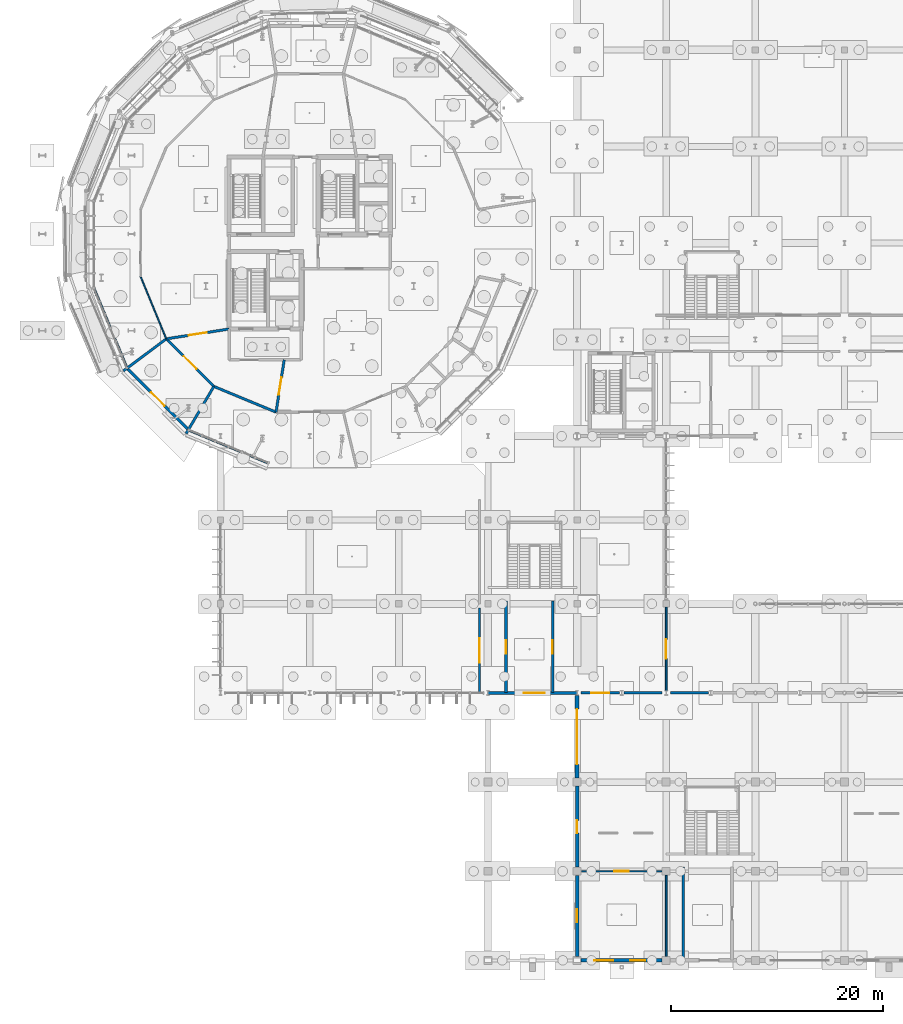
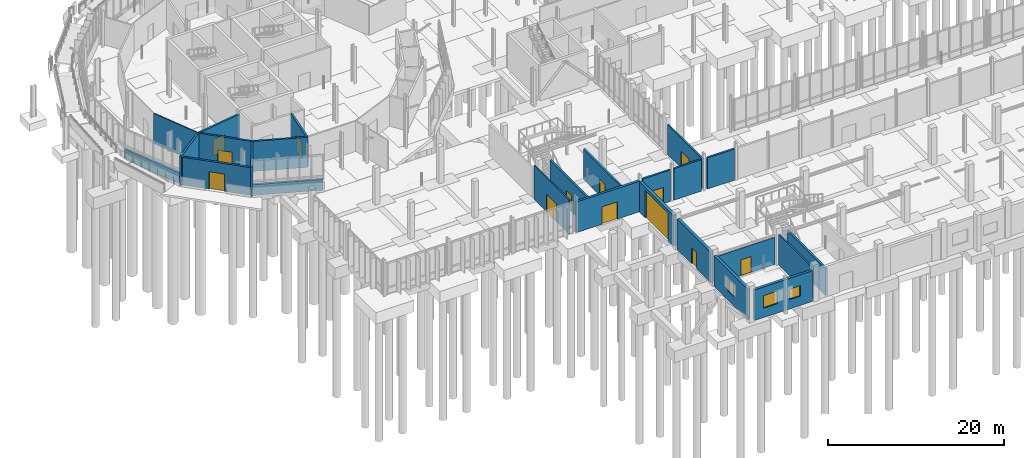
# One storey, part 80 of 119: 25 walls, 13 doors, 3 windows, 16 openings.
"""IFC4 building model written with IfcOpenShell, lengths in metres."""

from ifc_helpers import new_model, si_unit, derived_unit, direction, frame, frame_2d, origin, place, context, subcontext, project, spatial, rectangle, extrude, material, layer, layer_set, type_object, element, fill, save


model = new_model("IFC4")

# Units and contexts
model_context = context("Model", 3, precision=1e-05, world=origin(), true_north=direction((0.0, 1.0)))
body_context = subcontext(model_context, "Body", "Model", "MODEL_VIEW")
ifc_project = project(units=[si_unit("LENGTHUNIT", "METRE"), si_unit("AREAUNIT", "SQUARE_METRE"), si_unit("VOLUMEUNIT", "CUBIC_METRE"), si_unit("PLANEANGLEUNIT", "RADIAN"), si_unit("MASSUNIT", "GRAM", prefix="KILO"), derived_unit("THERMALTRANSMITTANCEUNIT", [(si_unit("MASSUNIT", "GRAM", prefix="KILO"), 1), (si_unit("TIMEUNIT", "SECOND"), -3), (si_unit("THERMODYNAMICTEMPERATUREUNIT", "KELVIN"), -1)])], contexts=[model_context])

# Site, building, storey
site_placement = place(None, origin())
site = spatial("IfcSite", under=ifc_project, at=site_placement, CompositionType="ELEMENT")
building_placement = place(site_placement, origin())
building = spatial("IfcBuilding", under=site, at=building_placement, Name="Makaiwela Harbour Ferry Terminal", CompositionType="ELEMENT")
storey_placement = place(building_placement, origin())
storey = spatial("IfcBuildingStorey", under=building, at=storey_placement, Name="L00", CompositionType="ELEMENT", Elevation=0.0)

# Wall
ifc_material_1 = material(Name="Precast concrete f'c 40 MPa (6000 psi)", Category="concrete")
ifc_layer_1 = layer(ifc_material_1, 0.260009765625)
ifc_layer_set_1 = layer_set([ifc_layer_1], Name="Precast concrete f'c 40 MPa (6000 psi)")
wall_type_1 = type_object("IfcWallType", Name="ENV-WL-EXT260", PredefinedType="SOLIDWALL", material=ifc_layer_set_1)
wall_1_placement = place(storey_placement, frame((17.465087890625, 63.325439453125, 0.0), z_axis=(0.0, 0.0, 1.0), x_axis=(0.382670790122, -0.923884768998, 0.0)))
element("IfcWall", 1, at=wall_1_placement, inside=storey, type_object=wall_type_1, Name="Drum Spandrel Backup Wall EW-L00-08", PredefinedType="SOLIDWALL", context=body_context, shape_type="SweptSolid", body=[
    extrude(rectangle(XDim=8.1337890625, YDim=0.260009765625, at=frame_2d((4.06689453125, 0.0))), origin(), (0.0, 0.0, 1.0), 1.47998046875),
])

# Wall, opening, door
wall_2_placement = place(storey_placement, frame((20.6103515625, 55.76171875, 0.0), z_axis=(0.0, 0.0, 1.0), x_axis=(0.707106781187, -0.707106781187, 0.0)))
wall_2 = element("IfcWall", 2, at=wall_2_placement, inside=storey, type_object=wall_type_1, Name="Drum Exterior Wall EW-L00-09", PredefinedType="SOLIDWALL", context=body_context, shape_type="SweptSolid", body=[
    extrude(rectangle(XDim=8.1337890625, YDim=0.260009765625, at=frame_2d((4.06689453125, 0.0))), origin(), (0.0, 0.0, 1.0), 3.844970703125),
])
opening_1_placement = place(wall_2_placement, frame((3.1669921875, 0.0, 0.0)))
opening_1 = element("IfcOpeningElement", 3, at=opening_1_placement, cuts=wall_2, Name="Opening ED-01", PredefinedType="OPENING", context=body_context, shape_type="SweptSolid", body=[
    extrude(rectangle(XDim=1.800048828125, YDim=2.39990234375, at=frame_2d((0.89990234375, 1.199951171875))), frame((0.0, 0.139892578125, 0.0), z_axis=(0.0, -1.0, 0.0), x_axis=(1.0, 0.0, 0.0)), (0.0, 0.0, 1.0), 0.280029296875),
])
ifc_material_2 = material(Name="Marine anodised aluminium 6063-T6", Category="aluminium")
door_type_1 = type_object("IfcDoorType", Name="ENV-DR-EXT180", OperationType="NOTDEFINED", PredefinedType="DOOR", material=ifc_material_2)
door_1_placement = place(opening_1_placement, frame((1.800048828125, 0.0, 0.0), z_axis=(0.0, 0.0, 1.0), x_axis=(-1.0, 0.0, 0.0)))
door_1 = element("IfcDoor", 4, at=door_1_placement, inside=storey, type_object=door_type_1, Name="Exterior Door ED-01", OperationType="DOUBLE_DOOR_SINGLE_SWING", OverallHeight=2.39990234375, OverallWidth=1.800048828125, PredefinedType="DOOR", context=body_context, shape_type="SweptSolid", body=[
    extrude(rectangle(XDim=1.800048828125, YDim=2.39990234375, at=frame_2d((0.89990234375, 1.199951171875))), frame((0.0, 0.02490234375, 0.0), z_axis=(0.0, -1.0, 0.0), x_axis=(1.0, 0.0, 0.0)), (0.0, 0.0, 1.0), 0.050048828125),
])
fill(opening_1, door_1)

# Wall
wall_3_placement = place(storey_placement, frame((26.41064453125, 49.9775390625, 0.0), z_axis=(0.0, 0.0, 1.0), x_axis=(0.923884768998, -0.382670790122, 0.0)))
element("IfcWall", 5, at=wall_3_placement, inside=storey, type_object=wall_type_1, Name="Drum Spandrel Backup Wall EW-L00-10", PredefinedType="SOLIDWALL", context=body_context, shape_type="SweptSolid", body=[
    extrude(rectangle(XDim=8.1337890625, YDim=0.260009765625, at=frame_2d((4.06689453125, 0.0))), origin(), (0.0, 0.0, 1.0), 1.47998046875),
])

# Wall, opening, door
ifc_material_3 = material(Name="Precast concrete f'c 40 MPa (6000 psi) with Hawaiian basalt rainscreen", Category="masonry")
ifc_layer_2 = layer(ifc_material_3, 0.300048828125)
ifc_layer_set_2 = layer_set([ifc_layer_2], Name="Precast concrete f'c 40 MPa (6000 psi) with Hawaiian basalt rainscreen")
wall_type_2 = type_object("IfcWallType", Name="ENV-WL-EXT300", PredefinedType="SOLIDWALL", material=ifc_layer_set_2)
wall_4_placement = place(storey_placement, frame((62.985107421875, 25.199951171875, 0.0), z_axis=(0.0, 0.0, 1.0), x_axis=(-1.0, 0.0, 0.0)))
wall_4 = element("IfcWall", 6, at=wall_4_placement, inside=storey, type_object=wall_type_2, Name="Exterior Wall EW-018", PredefinedType="SOLIDWALL", context=body_context, shape_type="SweptSolid", body=[
    extrude(rectangle(XDim=8.3701171875, YDim=0.300048828125, at=frame_2d((4.18505859375, 0.0))), origin(), (0.0, 0.0, 1.0), 4.24609375),
])
opening_2_placement = place(wall_4_placement, frame((3.017578125, 0.0, 0.0)))
opening_2 = element("IfcOpeningElement", 7, at=opening_2_placement, cuts=wall_4, Name="Opening ED-02", PredefinedType="OPENING", context=body_context, shape_type="SweptSolid", body=[
    extrude(rectangle(XDim=2.0, YDim=2.39990234375, at=frame_2d((1.0, 1.199951171875))), frame((0.0, 0.159912109375, 0.0), z_axis=(0.0, -1.0, 0.0), x_axis=(1.0, 0.0, 0.0)), (0.0, 0.0, 1.0), 0.320068359375),
])
door_type_2 = type_object("IfcDoorType", Name="ENV-DR-EXT200", OperationType="NOTDEFINED", PredefinedType="DOOR", material=ifc_material_2)
door_2_placement = place(opening_2_placement, origin())
door_2 = element("IfcDoor", 8, at=door_2_placement, inside=storey, type_object=door_type_2, Name="Exterior Door ED-02", OperationType="DOUBLE_DOOR_SINGLE_SWING", OverallHeight=2.39990234375, OverallWidth=2.0, PredefinedType="DOOR", context=body_context, shape_type="SweptSolid", body=[
    extrude(rectangle(XDim=2.0, YDim=2.39990234375, at=frame_2d((1.0, 1.199951171875))), frame((0.0, 0.02490234375, 0.0), z_axis=(0.0, -1.0, 0.0), x_axis=(1.0, 0.0, 0.0)), (0.0, 0.0, 1.0), 0.050048828125),
])
fill(opening_2, door_2)

# Wall, openings, windows
ifc_layer_3 = layer(ifc_material_3, 0.340087890625)
ifc_layer_set_3 = layer_set([ifc_layer_3], Name="Precast concrete f'c 40 MPa (6000 psi) with Hawaiian basalt rainscreen")
wall_type_3 = type_object("IfcWallType", Name="ENV-WL-EXT340", PredefinedType="SOLIDWALL", material=ifc_layer_set_3)
wall_5_placement = place(storey_placement, frame((71.01708984375, 0.0, 0.0), z_axis=(0.0, 0.0, 1.0), x_axis=(-1.0, 0.0, 0.0)))
wall_5 = element("IfcWall", 9, at=wall_5_placement, inside=storey, type_object=wall_type_3, Name="Exterior Wall EW-019", PredefinedType="SOLIDWALL", context=body_context, shape_type="SweptSolid", body=[
    extrude(rectangle(XDim=7.634033203125, YDim=0.340087890625, at=frame_2d((3.81689453125, 0.0))), origin(), (0.0, 0.0, 1.0), 4.24609375),
])
opening_3_placement = place(wall_5_placement, frame((1.590087890625, 0.0, 1.300048828125)))
opening_3 = element("IfcOpeningElement", 10, at=opening_3_placement, cuts=wall_5, Name="Opening W-09", PredefinedType="OPENING", context=body_context, shape_type="SweptSolid", body=[
    extrude(rectangle(XDim=1.39990234375, YDim=1.449951171875, at=frame_2d((0.699951171875, 0.72509765625))), frame((0.0, 0.179931640625, 0.0), z_axis=(0.0, -1.0, 0.0), x_axis=(1.0, 0.0, 0.0)), (0.0, 0.0, 1.0), 0.360107421875),
])
opening_4_placement = place(wall_5_placement, frame((4.596435546875, 0.0, 1.300048828125)))
opening_4 = element("IfcOpeningElement", 11, at=opening_4_placement, cuts=wall_5, Name="Opening W-22", PredefinedType="OPENING", context=body_context, shape_type="SweptSolid", body=[
    extrude(rectangle(XDim=1.800048828125, YDim=1.75, at=frame_2d((0.89990234375, 0.875))), frame((0.0, 0.179931640625, 0.0), z_axis=(0.0, -1.0, 0.0), x_axis=(1.0, 0.0, 0.0)), (0.0, 0.0, 1.0), 0.360107421875),
])
ifc_material_4 = material(Name="Laminated hurricane-impact low-E insulated glazing", Category="glass")
window_type_1 = type_object("IfcWindowType", Name="ENV-WIN-09", PartitioningType="SINGLE_PANEL", PredefinedType="WINDOW", material=ifc_material_4)
window_1_placement = place(opening_3_placement, origin())
window_1 = element("IfcWindow", 12, at=window_1_placement, inside=storey, type_object=window_type_1, Name="Exterior Window W-09", OverallHeight=1.449951171875, OverallWidth=1.39990234375, PartitioningType="SINGLE_PANEL", PredefinedType="WINDOW", context=body_context, shape_type="SweptSolid", body=[
    extrude(rectangle(XDim=1.39990234375, YDim=1.449951171875, at=frame_2d((0.699951171875, 0.72509765625))), frame((0.0, 0.030029296875, 0.0), z_axis=(0.0, -1.0, 0.0), x_axis=(1.0, 0.0, 0.0)), (0.0, 0.0, 1.0), 0.06005859375),
])
fill(opening_3, window_1)
window_type_2 = type_object("IfcWindowType", Name="ENV-WIN-22", PartitioningType="SINGLE_PANEL", PredefinedType="WINDOW", material=ifc_material_4)
window_2_placement = place(opening_4_placement, origin())
window_2 = element("IfcWindow", 13, at=window_2_placement, inside=storey, type_object=window_type_2, Name="Exterior Window W-22", OverallHeight=1.75, OverallWidth=1.800048828125, PartitioningType="SINGLE_PANEL", PredefinedType="WINDOW", context=body_context, shape_type="SweptSolid", body=[
    extrude(rectangle(XDim=1.800048828125, YDim=1.75, at=frame_2d((0.89990234375, 0.875))), frame((0.0, 0.030029296875, 0.0), z_axis=(0.0, -1.0, 0.0), x_axis=(1.0, 0.0, 0.0)), (0.0, 0.0, 1.0), 0.06005859375),
])
fill(opening_4, window_2)

# Wall, opening, window
wall_6_placement = place(storey_placement, frame((63.0, 0.383056640625, 0.0), z_axis=(0.0, 0.0, 1.0), x_axis=(0.0, 1.0, 0.0)))
wall_6 = element("IfcWall", 14, at=wall_6_placement, inside=storey, type_object=wall_type_3, Name="Exterior Wall EW-040", PredefinedType="SOLIDWALL", context=body_context, shape_type="SweptSolid", body=[
    extrude(rectangle(XDim=7.634033203125, YDim=0.340087890625, at=frame_2d((3.81689453125, 0.0))), origin(), (0.0, 0.0, 1.0), 4.24609375),
])
opening_5_placement = place(wall_6_placement, frame((3.217041015625, 0.0, 1.25)))
opening_5 = element("IfcOpeningElement", 15, at=opening_5_placement, cuts=wall_6, Name="Opening W-19", PredefinedType="OPENING", context=body_context, shape_type="SweptSolid", body=[
    extrude(rectangle(XDim=1.199951171875, YDim=1.75, at=frame_2d((0.60009765625, 0.875))), frame((0.0, 0.179931640625, 0.0), z_axis=(0.0, -1.0, 0.0), x_axis=(1.0, 0.0, 0.0)), (0.0, 0.0, 1.0), 0.360107421875),
])
window_type_3 = type_object("IfcWindowType", Name="ENV-WIN-19", PartitioningType="SINGLE_PANEL", PredefinedType="WINDOW", material=ifc_material_4)
window_3_placement = place(opening_5_placement, origin())
window_3 = element("IfcWindow", 16, at=window_3_placement, inside=storey, type_object=window_type_3, Name="Exterior Window W-19", OverallHeight=1.75, OverallWidth=1.199951171875, PartitioningType="SINGLE_PANEL", PredefinedType="WINDOW", context=body_context, shape_type="SweptSolid", body=[
    extrude(rectangle(XDim=1.199951171875, YDim=1.75, at=frame_2d((0.60009765625, 0.875))), frame((0.0, 0.030029296875, 0.0), z_axis=(0.0, -1.0, 0.0), x_axis=(1.0, 0.0, 0.0)), (0.0, 0.0, 1.0), 0.06005859375),
])
fill(opening_5, window_3)

# Wall, opening, door
wall_7_placement = place(storey_placement, frame((63.0, 8.782958984375, 0.0), z_axis=(0.0, 0.0, 1.0), x_axis=(0.0, 1.0, 0.0)))
wall_7 = element("IfcWall", 17, at=wall_7_placement, inside=storey, type_object=wall_type_3, Name="Exterior Wall EW-041", PredefinedType="SOLIDWALL", context=body_context, shape_type="SweptSolid", body=[
    extrude(rectangle(XDim=7.634033203125, YDim=0.340087890625, at=frame_2d((3.81689453125, 0.0))), origin(), (0.0, 0.0, 1.0), 4.24609375),
])
opening_6_placement = place(wall_7_placement, frame((3.217041015625, 0.0, 0.0)))
opening_6 = element("IfcOpeningElement", 18, at=opening_6_placement, cuts=wall_7, Name="Opening ED-05", PredefinedType="OPENING", context=body_context, shape_type="SweptSolid", body=[
    extrude(rectangle(XDim=1.199951171875, YDim=2.25, at=frame_2d((0.60009765625, 1.125))), frame((0.0, 0.179931640625, 0.0), z_axis=(0.0, -1.0, 0.0), x_axis=(1.0, 0.0, 0.0)), (0.0, 0.0, 1.0), 0.360107421875),
])
door_type_3 = type_object("IfcDoorType", Name="ENV-DR-EXT120", OperationType="NOTDEFINED", PredefinedType="DOOR", material=ifc_material_2)
door_3_placement = place(opening_6_placement, origin())
door_3 = element("IfcDoor", 19, at=door_3_placement, inside=storey, type_object=door_type_3, Name="Exterior Door ED-05", OperationType="SINGLE_SWING_LEFT", OverallHeight=2.25, OverallWidth=1.199951171875, PredefinedType="DOOR", context=body_context, shape_type="SweptSolid", body=[
    extrude(rectangle(XDim=1.199951171875, YDim=2.25, at=frame_2d((0.60009765625, 1.125))), frame((0.0, 0.02490234375, 0.0), z_axis=(0.0, -1.0, 0.0), x_axis=(1.0, 0.0, 0.0)), (0.0, 0.0, 1.0), 0.050048828125),
])
fill(opening_6, door_3)

ifc_layer_4 = layer(ifc_material_1, 0.3798828125)
ifc_layer_set_4 = layer_set([ifc_layer_4], Name="Precast concrete f'c 40 MPa (6000 psi)")
wall_type_4 = type_object("IfcWallType", Name="ENV-WL-EXT380", PredefinedType="SOLIDWALL", material=ifc_layer_set_4)
wall_8_placement = place(storey_placement, frame((63.0, 17.18310546875, 0.0), z_axis=(0.0, 0.0, 1.0), x_axis=(0.0, 1.0, 0.0)))
wall_8 = element("IfcWall", 20, at=wall_8_placement, inside=storey, type_object=wall_type_4, Name="Exterior Wall EW-042", PredefinedType="SOLIDWALL", context=body_context, shape_type="SweptSolid", body=[
    extrude(rectangle(XDim=7.79345703125, YDim=0.3798828125, at=frame_2d((3.896728515625, 0.0))), origin(), (0.0, 0.0, 1.0), 4.24609375),
])
opening_7_placement = place(wall_8_placement, frame((1.296875, 0.0, 0.0)))
opening_7 = element("IfcOpeningElement", 21, at=opening_7_placement, cuts=wall_8, Name="Opening VG-02", PredefinedType="OPENING", context=body_context, shape_type="SweptSolid", body=[
    extrude(rectangle(XDim=5.199951171875, YDim=3.85009765625, at=frame_2d((2.60009765625, 1.925048828125))), frame((0.0, 0.199951171875, 0.0), z_axis=(0.0, -1.0, 0.0), x_axis=(1.0, 0.0, 0.0)), (0.0, 0.0, 1.0), 0.39990234375),
])
door_type_4 = type_object("IfcDoorType", Name="ENV-GT-VEH02", OperationType="NOTDEFINED", PredefinedType="GATE", material=ifc_material_2)
door_4_placement = place(opening_7_placement, origin())
door_4 = element("IfcDoor", 22, at=door_4_placement, inside=storey, type_object=door_type_4, Name="Exterior Door VG-02", OperationType="ROLLINGUP", OverallHeight=3.85009765625, OverallWidth=5.199951171875, PredefinedType="GATE", context=body_context, shape_type="SweptSolid", body=[
    extrude(rectangle(XDim=5.199951171875, YDim=3.85009765625, at=frame_2d((2.60009765625, 1.925048828125))), frame((0.0, 0.02490234375, 0.0), z_axis=(0.0, -1.0, 0.0), x_axis=(1.0, 0.0, 0.0)), (0.0, 0.0, 1.0), 0.050048828125),
])
fill(opening_7, door_4)

ifc_material_5 = material(Name="Fire-rated gypsum board on steel studs", Category="steel")
ifc_layer_5 = layer(ifc_material_5, 0.179931640625)
ifc_layer_set_5 = layer_set([ifc_layer_5], Name="Fire-rated gypsum board on steel studs")
wall_type_5 = type_object("IfcWallType", Name="INT-WL-FIR180", PredefinedType="PARTITIONING", material=ifc_layer_set_5)
wall_9_placement = place(storey_placement, frame((63.39990234375, 8.39990234375, 0.0), z_axis=(0.0, 0.0, 1.0), x_axis=(1.0, 0.0, 0.0)))
wall_9 = element("IfcWall", 23, at=wall_9_placement, inside=storey, type_object=wall_type_5, Name="Interior Wall IW-0436", PredefinedType="PARTITIONING", context=body_context, shape_type="SweptSolid", body=[
    extrude(rectangle(XDim=7.60009765625, YDim=0.179931640625, at=frame_2d((3.800048828125, 0.0))), origin(), (0.0, 0.0, 1.0), 3.77001953125),
])
opening_8_placement = place(wall_9_placement, frame((3.125, 0.0, 0.0)))
opening_8 = element("IfcOpeningElement", 24, at=opening_8_placement, cuts=wall_9, Name="Opening D-15", PredefinedType="OPENING", context=body_context, shape_type="SweptSolid", body=[
    extrude(rectangle(XDim=1.35009765625, YDim=2.199951171875, at=frame_2d((0.675048828125, 1.10009765625))), frame((0.0, 0.099853515625, 0.0), z_axis=(0.0, -1.0, 0.0), x_axis=(1.0, 0.0, 0.0)), (0.0, 0.0, 1.0), 0.199951171875),
])
ifc_material_6 = material(Name="Insulated galvanised fire-rated steel leaf and frame", Category="steel")
door_type_5 = type_object("IfcDoorType", Name="INT-DR-STR135", OperationType="NOTDEFINED", PredefinedType="DOOR", material=ifc_material_6)
door_5_placement = place(opening_8_placement, frame((1.35009765625, 0.0, 0.0), z_axis=(0.0, 0.0, 1.0), x_axis=(-1.0, 0.0, 0.0)))
door_5 = element("IfcDoor", 25, at=door_5_placement, inside=storey, type_object=door_type_5, Name="Door D-15", OperationType="SINGLE_SWING_RIGHT", OverallHeight=2.199951171875, OverallWidth=1.35009765625, PredefinedType="DOOR", context=body_context, shape_type="SweptSolid", body=[
    extrude(rectangle(XDim=1.35009765625, YDim=2.199951171875, at=frame_2d((0.675048828125, 1.10009765625))), frame((0.0, 0.02490234375, 0.0), z_axis=(0.0, -1.0, 0.0), x_axis=(1.0, 0.0, 0.0)), (0.0, 0.0, 1.0), 0.050048828125),
])
fill(opening_8, door_5)

# Wall
wall_10_placement = place(storey_placement, frame((71.39990234375, 0.3798828125, 0.0), z_axis=(0.0, 0.0, 1.0), x_axis=(0.0, 1.0, 0.0)))
element("IfcWall", 26, at=wall_10_placement, inside=storey, type_object=wall_type_5, Name="Interior Wall IW-0447", PredefinedType="PARTITIONING", context=body_context, shape_type="SweptSolid", body=[
    extrude(rectangle(XDim=7.64013671875, YDim=0.179931640625, at=frame_2d((3.820068359375, 0.0))), origin(), (0.0, 0.0, 1.0), 4.22607421875),
])

# Wall, opening, door
wall_11_placement = place(storey_placement, frame((53.800048828125, 25.239990234375, 0.0), z_axis=(0.0, 0.0, 1.0), x_axis=(0.0, 1.0, 0.0)))
wall_11 = element("IfcWall", 27, at=wall_11_placement, inside=storey, type_object=wall_type_5, Name="Interior Wall IW-0466", PredefinedType="PARTITIONING", context=body_context, shape_type="SweptSolid", body=[
    extrude(rectangle(XDim=7.9599609375, YDim=0.179931640625, at=frame_2d((3.97998046875, 0.0))), origin(), (0.0, 0.0, 1.0), 4.719970703125),
])
opening_9_placement = place(wall_11_placement, frame((2.830078125, 0.0, 0.0)))
opening_9 = element("IfcOpeningElement", 28, at=opening_9_placement, cuts=wall_11, Name="Opening D-23", PredefinedType="OPENING", context=body_context, shape_type="SweptSolid", body=[
    extrude(rectangle(XDim=2.300048828125, YDim=2.449951171875, at=frame_2d((1.14990234375, 1.22509765625))), frame((0.0, 0.099853515625, 0.0), z_axis=(0.0, -1.0, 0.0), x_axis=(1.0, 0.0, 0.0)), (0.0, 0.0, 1.0), 0.199951171875),
])
ifc_material_7 = material(Name="Solid-core marine hardwood and painted steel frame", Category="steel")
door_type_6 = type_object("IfcDoorType", Name="INT-DR-CON230", OperationType="NOTDEFINED", PredefinedType="DOOR", material=ifc_material_7)
door_6_placement = place(opening_9_placement, origin())
door_6 = element("IfcDoor", 29, at=door_6_placement, inside=storey, type_object=door_type_6, Name="Door D-23", OperationType="DOUBLE_DOOR_SINGLE_SWING", OverallHeight=2.449951171875, OverallWidth=2.300048828125, PredefinedType="DOOR", context=body_context, shape_type="SweptSolid", body=[
    extrude(rectangle(XDim=2.300048828125, YDim=2.449951171875, at=frame_2d((1.14990234375, 1.22509765625))), frame((0.0, 0.02490234375, 0.0), z_axis=(0.0, -1.0, 0.0), x_axis=(1.0, 0.0, 0.0)), (0.0, 0.0, 1.0), 0.050048828125),
])
fill(opening_9, door_6)

wall_12_placement = place(storey_placement, frame((71.39990234375, 25.39990234375, 0.0), z_axis=(0.0, 0.0, 1.0), x_axis=(0.0, 1.0, 0.0)))
wall_12 = element("IfcWall", 30, at=wall_12_placement, inside=storey, type_object=wall_type_5, Name="Interior Wall IW-0468", PredefinedType="PARTITIONING", context=body_context, shape_type="SweptSolid", body=[
    extrude(rectangle(XDim=7.900146484375, YDim=0.179931640625, at=frame_2d((3.9501953125, 0.0))), origin(), (0.0, 0.0, 1.0), 4.18310546875),
])
opening_10_placement = place(wall_12_placement, frame((3.02490234375, 0.0, 0.0)))
opening_10 = element("IfcOpeningElement", 31, at=opening_10_placement, cuts=wall_12, Name="Opening D-05", PredefinedType="OPENING", context=body_context, shape_type="SweptSolid", body=[
    extrude(rectangle(XDim=1.85009765625, YDim=2.300048828125, at=frame_2d((0.925048828125, 1.14990234375))), frame((0.0, 0.099853515625, 0.0), z_axis=(0.0, -1.0, 0.0), x_axis=(1.0, 0.0, 0.0)), (0.0, 0.0, 1.0), 0.199951171875),
])
door_type_7 = type_object("IfcDoorType", Name="INT-DR-COR185", OperationType="NOTDEFINED", PredefinedType="DOOR", material=ifc_material_6)
door_7_placement = place(opening_10_placement, origin())
door_7 = element("IfcDoor", 32, at=door_7_placement, inside=storey, type_object=door_type_7, Name="Door D-05", OperationType="DOUBLE_DOOR_SINGLE_SWING", OverallHeight=2.300048828125, OverallWidth=1.85009765625, PredefinedType="DOOR", context=body_context, shape_type="SweptSolid", body=[
    extrude(rectangle(XDim=1.85009765625, YDim=2.300048828125, at=frame_2d((0.925048828125, 1.14990234375))), frame((0.0, 0.02490234375, 0.0), z_axis=(0.0, -1.0, 0.0), x_axis=(1.0, 0.0, 0.0)), (0.0, 0.0, 1.0), 0.050048828125),
])
fill(opening_10, door_7)

ifc_layer_6 = layer(ifc_material_5, 0.239990234375)
ifc_layer_set_6 = layer_set([ifc_layer_6], Name="Fire-rated gypsum board on steel studs")
wall_type_6 = type_object("IfcWallType", Name="INT-WL-FIR240", PredefinedType="SOLIDWALL", material=ifc_layer_set_6)
wall_13_placement = place(storey_placement, frame((24.28857421875, 58.572021484375, 0.0), z_axis=(0.0, 0.0, 1.0), x_axis=(0.707106781187, -0.707106781187, 0.0)))
wall_13 = element("IfcWall", 33, at=wall_13_placement, inside=storey, type_object=wall_type_6, Name="Interior Wall IW-0245", PredefinedType="SOLIDWALL", context=body_context, shape_type="SweptSolid", body=[
    extrude(rectangle(XDim=6.340576171875, YDim=0.239990234375, at=frame_2d((3.17041015625, 0.0))), origin(), (0.0, 0.0, 1.0), 4.178955078125),
])
opening_11_placement = place(wall_13_placement, frame((2.3203125, 0.0, 0.0)))
opening_11 = element("IfcOpeningElement", 34, at=opening_11_placement, cuts=wall_13, Name="Opening D-04", PredefinedType="OPENING", context=body_context, shape_type="SweptSolid", body=[
    extrude(rectangle(XDim=1.699951171875, YDim=2.25, at=frame_2d((0.85009765625, 1.125))), frame((0.0, 0.1298828125, 0.0), z_axis=(0.0, -1.0, 0.0), x_axis=(1.0, 0.0, 0.0)), (0.0, 0.0, 1.0), 0.260009765625),
])
door_type_8 = type_object("IfcDoorType", Name="INT-DR-COR170", OperationType="NOTDEFINED", PredefinedType="DOOR", material=ifc_material_6)
door_8_placement = place(opening_11_placement, frame((1.699951171875, 0.0, 0.0), z_axis=(0.0, 0.0, 1.0), x_axis=(-1.0, 0.0, 0.0)))
door_8 = element("IfcDoor", 35, at=door_8_placement, inside=storey, type_object=door_type_8, Name="Door D-04", OperationType="SINGLE_SWING_RIGHT", OverallHeight=2.25, OverallWidth=1.699951171875, PredefinedType="DOOR", context=body_context, shape_type="SweptSolid", body=[
    extrude(rectangle(XDim=1.699951171875, YDim=2.25, at=frame_2d((0.85009765625, 1.125))), frame((0.0, 0.02490234375, 0.0), z_axis=(0.0, -1.0, 0.0), x_axis=(1.0, 0.0, 0.0)), (0.0, 0.0, 1.0), 0.050048828125),
])
fill(opening_11, door_8)

# Walls
wall_14_placement = place(storey_placement, frame((28.77197265625, 54.088623046875, 0.0), z_axis=(0.0, 0.0, 1.0), x_axis=(0.92387463456, -0.382695256851, 0.0)))
element("IfcWall", 36, at=wall_14_placement, inside=storey, type_object=wall_type_6, Name="Interior Wall IW-0246", PredefinedType="SOLIDWALL", context=body_context, shape_type="SweptSolid", body=[
    extrude(rectangle(XDim=6.340576171875, YDim=0.239990234375, at=frame_2d((3.17041015625, 0.0))), origin(), (0.0, 0.0, 1.0), 4.178955078125),
])
wall_15_placement = place(storey_placement, frame((24.28857421875, 58.572021484375, 0.0), z_axis=(0.0, 0.0, 1.0), x_axis=(-0.801270627891, -0.598302081627, 0.0)))
element("IfcWall", 37, at=wall_15_placement, inside=storey, type_object=wall_type_6, Name="Interior Wall IW-0264", PredefinedType="SOLIDWALL", context=body_context, shape_type="SweptSolid", body=[
    extrude(rectangle(XDim=5.042236328125, YDim=0.239990234375, at=frame_2d((2.52099609375, 0.0))), origin(), (0.0, 0.0, 1.0), 4.178955078125),
])
wall_16_placement = place(storey_placement, frame((28.77197265625, 54.088623046875, 0.0), z_axis=(0.0, 0.0, 1.0), x_axis=(-0.507694819058, -0.861536981622, 0.0)))
element("IfcWall", 38, at=wall_16_placement, inside=storey, type_object=wall_type_6, Name="Interior Wall IW-0265", PredefinedType="SOLIDWALL", context=body_context, shape_type="SweptSolid", body=[
    extrude(rectangle(XDim=5.154052734375, YDim=0.239990234375, at=frame_2d((2.5771484375, 0.0))), origin(), (0.0, 0.0, 1.0), 4.178955078125),
])
wall_17_placement = place(storey_placement, frame((73.0, 0.0400390625, 0.0), z_axis=(0.0, 0.0, 1.0), x_axis=(0.0, 1.0, 0.0)))
element("IfcWall", 39, at=wall_17_placement, inside=storey, type_object=wall_type_6, Name="Interior Wall IW-0437", PredefinedType="SOLIDWALL", context=body_context, shape_type="SweptSolid", body=[
    extrude(rectangle(XDim=8.760009765625, YDim=0.239990234375, at=frame_2d((4.3798828125, 0.0))), origin(), (0.0, 0.0, 1.0), 3.77001953125),
])

# Wall, opening, door
wall_18_placement = place(storey_placement, frame((56.300048828125, 25.239990234375, 0.0), z_axis=(0.0, 0.0, 1.0), x_axis=(0.0, 1.0, 0.0)))
wall_18 = element("IfcWall", 40, at=wall_18_placement, inside=storey, type_object=wall_type_6, Name="Interior Wall IW-0439", PredefinedType="SOLIDWALL", context=body_context, shape_type="SweptSolid", body=[
    extrude(rectangle(XDim=8.610107421875, YDim=0.239990234375, at=frame_2d((4.30517578125, 0.0))), origin(), (0.0, 0.0, 1.0), 4.18310546875),
])
opening_12_placement = place(wall_18_placement, frame((3.679931640625, 0.0, 0.0)))
opening_12 = element("IfcOpeningElement", 41, at=opening_12_placement, cuts=wall_18, Name="Opening D-02", PredefinedType="OPENING", context=body_context, shape_type="SweptSolid", body=[
    extrude(rectangle(XDim=1.25, YDim=2.199951171875, at=frame_2d((0.625, 1.10009765625))), frame((0.0, 0.1298828125, 0.0), z_axis=(0.0, -1.0, 0.0), x_axis=(1.0, 0.0, 0.0)), (0.0, 0.0, 1.0), 0.260009765625),
])
door_type_9 = type_object("IfcDoorType", Name="INT-DR-ST125", OperationType="NOTDEFINED", PredefinedType="DOOR", material=ifc_material_6)
door_9_placement = place(opening_12_placement, origin())
door_9 = element("IfcDoor", 42, at=door_9_placement, inside=storey, type_object=door_type_9, Name="Door D-02", OperationType="SINGLE_SWING_RIGHT", OverallHeight=2.199951171875, OverallWidth=1.25, PredefinedType="DOOR", context=body_context, shape_type="SweptSolid", body=[
    extrude(rectangle(XDim=1.25, YDim=2.199951171875, at=frame_2d((0.625, 1.10009765625))), frame((0.0, 0.02490234375, 0.0), z_axis=(0.0, -1.0, 0.0), x_axis=(1.0, 0.0, 0.0)), (0.0, 0.0, 1.0), 0.050048828125),
])
fill(opening_12, door_9)

wall_19_placement = place(storey_placement, frame((60.699951171875, 25.239990234375, 0.0), z_axis=(0.0, 0.0, 1.0), x_axis=(0.0, 1.0, 0.0)))
wall_19 = element("IfcWall", 43, at=wall_19_placement, inside=storey, type_object=wall_type_6, Name="Interior Wall IW-0440", PredefinedType="SOLIDWALL", context=body_context, shape_type="SweptSolid", body=[
    extrude(rectangle(XDim=8.610107421875, YDim=0.239990234375, at=frame_2d((4.30517578125, 0.0))), origin(), (0.0, 0.0, 1.0), 4.18310546875),
])
opening_13_placement = place(wall_19_placement, frame((3.679931640625, 0.0, 0.0)))
opening_13 = element("IfcOpeningElement", 44, at=opening_13_placement, cuts=wall_19, Name="Opening D-02", PredefinedType="OPENING", context=body_context, shape_type="SweptSolid", body=[
    extrude(rectangle(XDim=1.25, YDim=2.199951171875, at=frame_2d((0.625, 1.10009765625))), frame((0.0, 0.1298828125, 0.0), z_axis=(0.0, -1.0, 0.0), x_axis=(1.0, 0.0, 0.0)), (0.0, 0.0, 1.0), 0.260009765625),
])
door_10_placement = place(opening_13_placement, frame((1.25, 0.0, 0.0), z_axis=(0.0, 0.0, 1.0), x_axis=(-1.0, 0.0, 0.0)))
door_10 = element("IfcDoor", 45, at=door_10_placement, inside=storey, type_object=door_type_9, Name="Door D-02", OperationType="SINGLE_SWING_LEFT", OverallHeight=2.199951171875, OverallWidth=1.25, PredefinedType="DOOR", context=body_context, shape_type="SweptSolid", body=[
    extrude(rectangle(XDim=1.25, YDim=2.199951171875, at=frame_2d((0.625, 1.10009765625))), frame((0.0, 0.02490234375, 0.0), z_axis=(0.0, -1.0, 0.0), x_axis=(1.0, 0.0, 0.0)), (0.0, 0.0, 1.0), 0.050048828125),
])
fill(opening_13, door_10)

wall_20_placement = place(storey_placement, frame((24.28857421875, 58.572021484375, 0.0), z_axis=(0.0, 0.0, 1.0), x_axis=(0.987901515466, 0.155082544926, 0.0)))
wall_20 = element("IfcWall", 46, at=wall_20_placement, inside=storey, type_object=wall_type_6, Name="Interior Wall IW-0445", PredefinedType="SOLIDWALL", context=body_context, shape_type="SweptSolid", body=[
    extrude(rectangle(XDim=5.98388671875, YDim=0.239990234375, at=frame_2d((2.991943359375, 0.0))), origin(), (0.0, 0.0, 1.0), 4.178955078125),
])
opening_14_placement = place(wall_20_placement, frame((2.141845703125, 0.0, 0.0)))
opening_14 = element("IfcOpeningElement", 47, at=opening_14_placement, cuts=wall_20, Name="Opening D-04", PredefinedType="OPENING", context=body_context, shape_type="SweptSolid", body=[
    extrude(rectangle(XDim=1.699951171875, YDim=2.25, at=frame_2d((0.85009765625, 1.125))), frame((0.0, 0.1298828125, 0.0), z_axis=(0.0, -1.0, 0.0), x_axis=(1.0, 0.0, 0.0)), (0.0, 0.0, 1.0), 0.260009765625),
])
door_11_placement = place(opening_14_placement, frame((1.699951171875, 0.0, 0.0), z_axis=(0.0, 0.0, 1.0), x_axis=(-1.0, 0.0, 0.0)))
door_11 = element("IfcDoor", 48, at=door_11_placement, inside=storey, type_object=door_type_8, Name="Door D-04", OperationType="DOUBLE_DOOR_SINGLE_SWING", OverallHeight=2.25, OverallWidth=1.699951171875, PredefinedType="DOOR", context=body_context, shape_type="SweptSolid", body=[
    extrude(rectangle(XDim=1.699951171875, YDim=2.25, at=frame_2d((0.85009765625, 1.125))), frame((0.0, 0.02490234375, 0.0), z_axis=(0.0, -1.0, 0.0), x_axis=(1.0, 0.0, 0.0)), (0.0, 0.0, 1.0), 0.050048828125),
])
fill(opening_14, door_11)

wall_21_placement = place(storey_placement, frame((34.6298828125, 51.662109375, 0.0), z_axis=(0.0, 0.0, 1.0), x_axis=(0.154075850756, 0.988059022637, 0.0)))
wall_21 = element("IfcWall", 49, at=wall_21_placement, inside=storey, type_object=wall_type_6, Name="Interior Wall IW-0446", PredefinedType="SOLIDWALL", context=body_context, shape_type="SweptSolid", body=[
    extrude(rectangle(XDim=4.99755859375, YDim=0.239990234375, at=frame_2d((2.498779296875, 0.0))), origin(), (0.0, 0.0, 1.0), 4.178955078125),
])
opening_15_placement = place(wall_21_placement, frame((1.648681640625, 0.0, 0.0)))
opening_15 = element("IfcOpeningElement", 50, at=opening_15_placement, cuts=wall_21, Name="Opening D-04", PredefinedType="OPENING", context=body_context, shape_type="SweptSolid", body=[
    extrude(rectangle(XDim=1.699951171875, YDim=2.25, at=frame_2d((0.85009765625, 1.125))), frame((0.0, 0.1298828125, 0.0), z_axis=(0.0, -1.0, 0.0), x_axis=(1.0, 0.0, 0.0)), (0.0, 0.0, 1.0), 0.260009765625),
])
door_12_placement = place(opening_15_placement, origin())
door_12 = element("IfcDoor", 51, at=door_12_placement, inside=storey, type_object=door_type_8, Name="Door D-04", OperationType="DOUBLE_DOOR_SINGLE_SWING", OverallHeight=2.25, OverallWidth=1.699951171875, PredefinedType="DOOR", context=body_context, shape_type="SweptSolid", body=[
    extrude(rectangle(XDim=1.699951171875, YDim=2.25, at=frame_2d((0.85009765625, 1.125))), frame((0.0, 0.02490234375, 0.0), z_axis=(0.0, -1.0, 0.0), x_axis=(1.0, 0.0, 0.0)), (0.0, 0.0, 1.0), 0.050048828125),
])
fill(opening_15, door_12)

wall_22_placement = place(storey_placement, frame((63.35009765625, 25.199951171875, 0.0), z_axis=(0.0, 0.0, 1.0), x_axis=(1.0, 0.0, 0.0)))
wall_22 = element("IfcWall", 52, at=wall_22_placement, inside=storey, type_object=wall_type_6, Name="Interior Wall IW-0448", PredefinedType="SOLIDWALL", context=body_context, shape_type="SweptSolid", body=[
    extrude(rectangle(XDim=3.644287109375, YDim=0.239990234375, at=frame_2d((1.822265625, 0.0))), origin(), (0.0, 0.0, 1.0), 4.364013671875),
])
opening_16_placement = place(wall_22_placement, frame((0.972412109375, 0.0, 0.0)))
opening_16 = element("IfcOpeningElement", 53, at=opening_16_placement, cuts=wall_22, Name="Opening D-04", PredefinedType="OPENING", context=body_context, shape_type="SweptSolid", body=[
    extrude(rectangle(XDim=1.699951171875, YDim=2.25, at=frame_2d((0.85009765625, 1.125))), frame((0.0, 0.1298828125, 0.0), z_axis=(0.0, -1.0, 0.0), x_axis=(1.0, 0.0, 0.0)), (0.0, 0.0, 1.0), 0.260009765625),
])
door_13_placement = place(opening_16_placement, origin())
door_13 = element("IfcDoor", 54, at=door_13_placement, inside=storey, type_object=door_type_8, Name="Door D-04", OperationType="DOUBLE_DOOR_SINGLE_SWING", OverallHeight=2.25, OverallWidth=1.699951171875, PredefinedType="DOOR", context=body_context, shape_type="SweptSolid", body=[
    extrude(rectangle(XDim=1.699951171875, YDim=2.25, at=frame_2d((0.85009765625, 1.125))), frame((0.0, 0.02490234375, 0.0), z_axis=(0.0, -1.0, 0.0), x_axis=(1.0, 0.0, 0.0)), (0.0, 0.0, 1.0), 0.050048828125),
])
fill(opening_16, door_13)

# Walls
wall_23_placement = place(storey_placement, frame((67.405517578125, 25.199951171875, 0.0), z_axis=(0.0, 0.0, 1.0), x_axis=(1.0, 0.0, 0.0)))
element("IfcWall", 55, at=wall_23_placement, inside=storey, type_object=wall_type_6, Name="Interior Wall IW-0449", PredefinedType="SOLIDWALL", context=body_context, shape_type="SweptSolid", body=[
    extrude(rectangle(XDim=3.594482421875, YDim=0.239990234375, at=frame_2d((1.79736328125, 0.0))), origin(), (0.0, 0.0, 1.0), 4.364013671875),
])
wall_24_placement = place(storey_placement, frame((71.800048828125, 25.199951171875, 0.0), z_axis=(0.0, 0.0, 1.0), x_axis=(1.0, 0.0, 0.0)))
element("IfcWall", 56, at=wall_24_placement, inside=storey, type_object=wall_type_6, Name="Interior Wall IW-0450", PredefinedType="SOLIDWALL", context=body_context, shape_type="SweptSolid", body=[
    extrude(rectangle(XDim=3.594482421875, YDim=0.239990234375, at=frame_2d((1.79736328125, 0.0))), origin(), (0.0, 0.0, 1.0), 4.323974609375),
])
ifc_material_8 = material(Name="Moisture-resistant acoustic gypsum partition", Category="gypsum")
ifc_layer_7 = layer(ifc_material_8, 0.1201171875)
ifc_layer_set_7 = layer_set([ifc_layer_7], Name="Moisture-resistant acoustic gypsum partition")
wall_type_7 = type_object("IfcWallType", Name="INT-WL-PRT120", PredefinedType="PARTITIONING", material=ifc_layer_set_7)
wall_25_placement = place(storey_placement, frame((21.8623046875, 64.4296875, 0.0), z_axis=(0.0, 0.0, 1.0), x_axis=(0.382676004295, -0.923882609284, 0.0)))
element("IfcWall", 57, at=wall_25_placement, inside=storey, type_object=wall_type_7, Name="Interior Wall IW-0244", PredefinedType="PARTITIONING", context=body_context, shape_type="SweptSolid", body=[
    extrude(rectangle(XDim=6.34033203125, YDim=0.1201171875, at=frame_2d((3.170166015625, 0.0))), origin(), (0.0, 0.0, 1.0), 4.178955078125),
])

save(model, "model.ifc")
